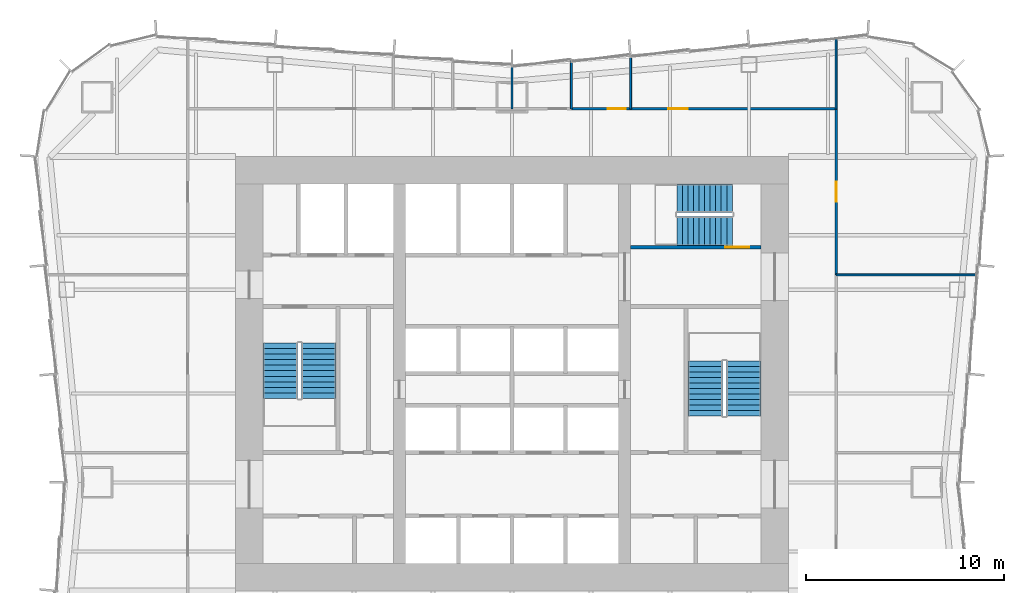
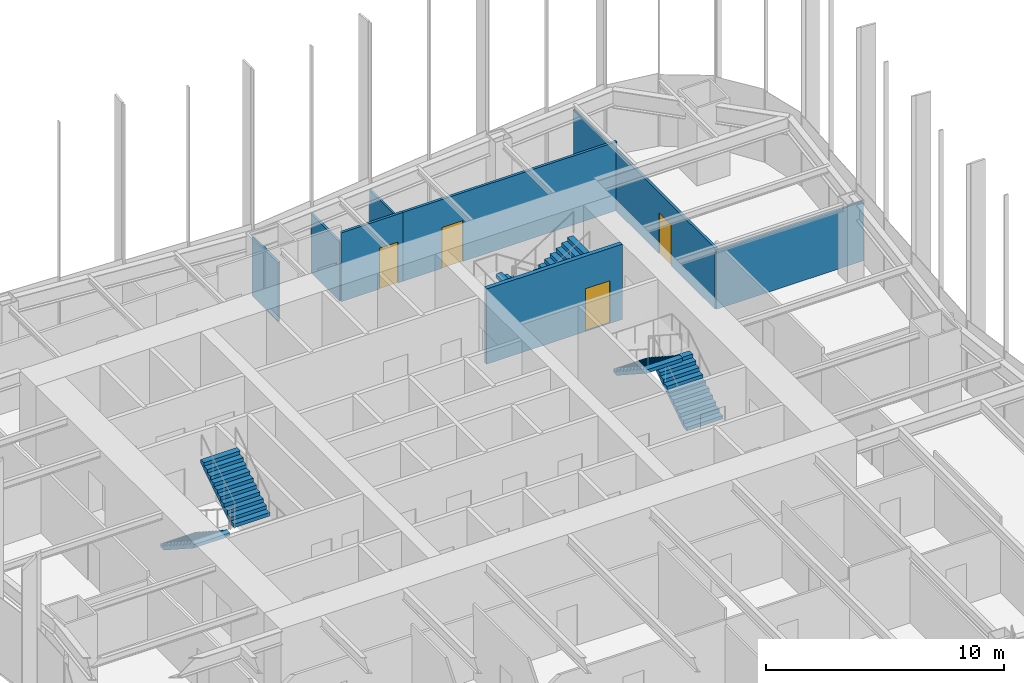
# One storey, part 12 of 13: 9 walls, 6 stair flights, 4 doors, 4 openings, 3 elements without a shape of their own.
"""IFC4 building model written with IfcOpenShell, lengths in metres."""

from ifc_helpers import new_model, si_unit, direction, frame, frame_2d, origin, place, context, subcontext, project, spatial, polyline, rectangle, outline, extrude, material, layer, layer_set, type_object, element, fill, aggregate, save


model = new_model("IFC4")

# Units and contexts
model_context = context("Model", 3, precision=1e-05, world=origin(), true_north=direction((0.0, 1.0)))
body_context = subcontext(model_context, "Body", "Model", "MODEL_VIEW")
ifc_project = project(units=[si_unit("LENGTHUNIT", "METRE"), si_unit("AREAUNIT", "SQUARE_METRE"), si_unit("VOLUMEUNIT", "CUBIC_METRE"), si_unit("PLANEANGLEUNIT", "RADIAN"), si_unit("MASSUNIT", "GRAM", prefix="KILO")], contexts=[model_context])

# Site, building, storey
site_placement = place(None, origin())
site = spatial("IfcSite", under=ifc_project, at=site_placement, CompositionType="ELEMENT")
building_placement = place(site_placement, origin())
building = spatial("IfcBuilding", under=site, at=building_placement, Name="Verdant Reach Tower", CompositionType="ELEMENT")
storey_placement = place(building_placement, frame((0.0, 0.0, 38.0)))
storey = spatial("IfcBuildingStorey", under=building, at=storey_placement, Name="L08", CompositionType="ELEMENT", Elevation=38.0)

# Wall, opening, door
ifc_material_1 = material(Name="Concrete C40/50", Category="concrete")
ifc_layer_1 = layer(ifc_material_1, 0.199951171875)
ifc_layer_set_1 = layer_set([ifc_layer_1], Name="CO-WALL-STAIR")
wall_type_1 = type_object("IfcWallType", Name="CO-WALL-STAIR", PredefinedType="PARTITIONING", material=ifc_layer_set_1)
wall_1_placement = place(storey_placement, frame((6.0, 34.39990234375, 0.0), z_axis=(0.0, 0.0, 1.0), x_axis=(1.0, 0.0, 0.0)))
wall_1 = element("IfcWall", 1, at=wall_1_placement, inside=storey, type_object=wall_type_1, Name="Stair enclosure wall, L08", PredefinedType="PARTITIONING", context=body_context, shape_type="SweptSolid", body=[
    extrude(rectangle(XDim=6.60009765625, YDim=0.199951171875, at=frame_2d((3.300048828125, 0.0))), origin(), (0.0, 0.0, 1.0), 3.8701171875),
])
opening_1_placement = place(wall_1_placement, frame((4.800048828125, 0.0, 0.0)))
opening_1 = element("IfcOpeningElement", 2, at=opening_1_placement, cuts=wall_1, Name="Opening SD", PredefinedType="OPENING", context=body_context, shape_type="SweptSolid", body=[
    extrude(rectangle(XDim=1.199951171875, YDim=2.199951171875, at=frame_2d((0.60009765625, 1.10009765625))), frame((0.0, 0.10986328125, 0.0), z_axis=(0.0, -1.0, 0.0), x_axis=(1.0, 0.0, 0.0)), (0.0, 0.0, 1.0), 0.219970703125),
])
ifc_material_2 = material(Name="Steel", Category="steel")
door_type_1 = type_object("IfcDoorType", Name="CO-DOOR-STAIR", OperationType="NOTDEFINED", PredefinedType="DOOR", material=ifc_material_2)
door_1_placement = place(opening_1_placement, origin())
door_1 = element("IfcDoor", 3, at=door_1_placement, inside=storey, type_object=door_type_1, Name="Stair door, L08", OperationType="SINGLE_SWING_RIGHT", OverallHeight=2.199951171875, OverallWidth=1.199951171875, PredefinedType="DOOR", context=body_context, shape_type="SweptSolid", body=[
    extrude(rectangle(XDim=1.199951171875, YDim=2.199951171875, at=frame_2d((0.60009765625, 1.10009765625))), frame((0.0, 0.02490234375, 0.0), z_axis=(0.0, -1.0, 0.0), x_axis=(1.0, 0.0, 0.0)), (0.0, 0.0, 1.0), 0.050048828125),
])
fill(opening_1, door_1)

# Walls
ifc_material_3 = material(Name="Gypsum board on steel studs", Category="steel")
ifc_layer_2 = layer(ifc_material_3, 0.10009765625)
ifc_layer_set_2 = layer_set([ifc_layer_2], Name="FL-W1 Partition 100")
wall_type_2 = type_object("IfcWallType", Name="FL-W1 Partition 100", PredefinedType="PARTITIONING", material=ifc_layer_set_2)
wall_2_placement = place(storey_placement, frame((0.0, 41.39990234375, 0.0), z_axis=(0.0, 0.0, 1.0), x_axis=(0.0, 1.0, 0.0)))
element("IfcWall", 4, at=wall_2_placement, inside=storey, type_object=wall_type_2, Name="Partition 08.40", PredefinedType="PARTITIONING", context=body_context, shape_type="SweptSolid", body=[
    extrude(rectangle(XDim=2.18017578125, YDim=0.10009765625, at=frame_2d((1.090087890625, 0.0))), origin(), (0.0, 0.0, 1.0), 3.0400390625),
])
wall_3_placement = place(storey_placement, frame((3.0, 41.39990234375, 0.0), z_axis=(0.0, 0.0, 1.0), x_axis=(0.0, 1.0, 0.0)))
element("IfcWall", 5, at=wall_3_placement, inside=storey, type_object=wall_type_2, Name="Partition 08.41", PredefinedType="PARTITIONING", context=body_context, shape_type="SweptSolid", body=[
    extrude(rectangle(XDim=2.43017578125, YDim=0.10009765625, at=frame_2d((1.215087890625, 0.0))), origin(), (0.0, 0.0, 1.0), 3.0400390625),
])
wall_4_placement = place(storey_placement, frame((6.0, 41.39990234375, 0.0), z_axis=(0.0, 0.0, 1.0), x_axis=(0.0, 1.0, 0.0)))
element("IfcWall", 6, at=wall_4_placement, inside=storey, type_object=wall_type_2, Name="Partition 08.42", PredefinedType="PARTITIONING", context=body_context, shape_type="SweptSolid", body=[
    extrude(rectangle(XDim=2.68017578125, YDim=0.10009765625, at=frame_2d((1.340087890625, 0.0))), origin(), (0.0, 0.0, 1.0), 3.0400390625),
])
wall_5_placement = place(storey_placement, frame((16.39990234375, 41.39599609375, 0.0), z_axis=(0.0, 0.0, 1.0), x_axis=(0.0, 1.0, 0.0)))
element("IfcWall", 7, at=wall_5_placement, inside=storey, type_object=wall_type_2, Name="Partition 08.43", PredefinedType="PARTITIONING", context=body_context, shape_type="SweptSolid", body=[
    extrude(rectangle(XDim=3.55078125, YDim=0.10009765625, at=frame_2d((1.775390625, 0.0))), origin(), (0.0, 0.0, 1.0), 3.0400390625),
])
wall_6_placement = place(storey_placement, frame((23.534423828125, 33.0, 0.0), z_axis=(0.0, 0.0, 1.0), x_axis=(-1.0, 0.0, 0.0)))
element("IfcWall", 8, at=wall_6_placement, inside=storey, type_object=wall_type_2, Name="Partition 08.47", PredefinedType="PARTITIONING", context=body_context, shape_type="SweptSolid", body=[
    extrude(rectangle(XDim=7.134521484375, YDim=0.10009765625, at=frame_2d((3.5673828125, 0.0))), origin(), (0.0, 0.0, 1.0), 3.0400390625),
])

# Wall, opening, door
ifc_material_4 = material(Name="Gypsum board on steel studs, fire rated", Category="steel")
ifc_layer_3 = layer(ifc_material_4, 0.125)
ifc_layer_set_3 = layer_set([ifc_layer_3], Name="FL-W2 Corridor wall 125")
wall_type_3 = type_object("IfcWallType", Name="FL-W2 Corridor wall 125", PredefinedType="PARTITIONING", material=ifc_layer_set_3)
wall_7_placement = place(storey_placement, frame((3.0, 41.39990234375, 0.0), z_axis=(0.0, 0.0, 1.0), x_axis=(1.0, 0.0, 0.0)))
wall_7 = element("IfcWall", 9, at=wall_7_placement, inside=storey, type_object=wall_type_3, Name="Partition 08.11", PredefinedType="PARTITIONING", context=body_context, shape_type="SweptSolid", body=[
    extrude(rectangle(XDim=3.0, YDim=0.125, at=frame_2d((1.5, 0.0))), origin(), (0.0, 0.0, 1.0), 3.5400390625),
])
opening_2_placement = place(wall_7_placement, frame((1.85009765625, 0.0, 0.0)))
opening_2 = element("IfcOpeningElement", 10, at=opening_2_placement, cuts=wall_7, Name="Opening D1", PredefinedType="OPENING", context=body_context, shape_type="SweptSolid", body=[
    extrude(rectangle(XDim=0.89990234375, YDim=2.10009765625, at=frame_2d((0.449951171875, 1.050048828125))), frame((0.0, 0.072509765625, 0.0), z_axis=(0.0, -1.0, 0.0), x_axis=(1.0, 0.0, 0.0)), (0.0, 0.0, 1.0), 0.14501953125),
])
ifc_material_5 = material(Name="Painted timber door leaf", Category="wood")
door_type_2 = type_object("IfcDoorType", Name="FL-D1 Door 900x2100", OperationType="NOTDEFINED", PredefinedType="DOOR", material=ifc_material_5)
door_2_placement = place(opening_2_placement, origin())
door_2 = element("IfcDoor", 11, at=door_2_placement, inside=storey, type_object=door_type_2, Name="Door 08-009", OperationType="SINGLE_SWING_RIGHT", OverallHeight=2.10009765625, OverallWidth=0.89990234375, PredefinedType="DOOR", context=body_context, shape_type="SweptSolid", body=[
    extrude(rectangle(XDim=0.89990234375, YDim=2.10009765625, at=frame_2d((0.449951171875, 1.050048828125))), frame((0.0, 0.02490234375, 0.0), z_axis=(0.0, -1.0, 0.0), x_axis=(1.0, 0.0, 0.0)), (0.0, 0.0, 1.0), 0.050048828125),
])
fill(opening_2, door_2)

wall_8_placement = place(storey_placement, frame((6.0, 41.39990234375, 0.0), z_axis=(0.0, 0.0, 1.0), x_axis=(1.0, 0.0, 0.0)))
wall_8 = element("IfcWall", 12, at=wall_8_placement, inside=storey, type_object=wall_type_3, Name="Partition 08.12", PredefinedType="PARTITIONING", context=body_context, shape_type="SweptSolid", body=[
    extrude(rectangle(XDim=10.39990234375, YDim=0.125, at=frame_2d((5.199951171875, 0.0))), origin(), (0.0, 0.0, 1.0), 3.5400390625),
])
opening_3_placement = place(wall_8_placement, frame((1.89990234375, 0.0, 0.0)))
opening_3 = element("IfcOpeningElement", 13, at=opening_3_placement, cuts=wall_8, Name="Opening D2", PredefinedType="OPENING", context=body_context, shape_type="SweptSolid", body=[
    extrude(rectangle(XDim=1.0, YDim=2.10009765625, at=frame_2d((0.5, 1.050048828125))), frame((0.0, 0.072509765625, 0.0), z_axis=(0.0, -1.0, 0.0), x_axis=(1.0, 0.0, 0.0)), (0.0, 0.0, 1.0), 0.14501953125),
])
ifc_material_6 = material(Name="Timber door leaf, fire rated", Category="wood")
door_type_3 = type_object("IfcDoorType", Name="FL-D2 Entrance door 1000x2100 FD30", OperationType="NOTDEFINED", PredefinedType="DOOR", material=ifc_material_6)
door_3_placement = place(opening_3_placement, origin())
door_3 = element("IfcDoor", 14, at=door_3_placement, inside=storey, type_object=door_type_3, Name="Door 08-010", OperationType="SINGLE_SWING_LEFT", OverallHeight=2.10009765625, OverallWidth=1.0, PredefinedType="DOOR", context=body_context, shape_type="SweptSolid", body=[
    extrude(rectangle(XDim=1.0, YDim=2.10009765625, at=frame_2d((0.5, 1.050048828125))), frame((0.0, 0.02490234375, 0.0), z_axis=(0.0, -1.0, 0.0), x_axis=(1.0, 0.0, 0.0)), (0.0, 0.0, 1.0), 0.050048828125),
])
fill(opening_3, door_3)

wall_9_placement = place(storey_placement, frame((16.39990234375, 41.404052734375, 0.0), z_axis=(0.0, 0.0, 1.0), x_axis=(0.0, -1.0, 0.0)))
wall_9 = element("IfcWall", 15, at=wall_9_placement, inside=storey, type_object=wall_type_3, Name="Partition 08.18", PredefinedType="PARTITIONING", context=body_context, shape_type="SweptSolid", body=[
    extrude(rectangle(XDim=8.404052734375, YDim=0.125, at=frame_2d((4.2021484375, 0.0))), origin(), (0.0, 0.0, 1.0), 3.139892578125),
])
opening_4_placement = place(wall_9_placement, frame((3.701904296875, 0.0, 0.0)))
opening_4 = element("IfcOpeningElement", 16, at=opening_4_placement, cuts=wall_9, Name="Opening D2", PredefinedType="OPENING", context=body_context, shape_type="SweptSolid", body=[
    extrude(rectangle(XDim=1.0, YDim=2.10009765625, at=frame_2d((0.5, 1.050048828125))), frame((0.0, 0.072509765625, 0.0), z_axis=(0.0, -1.0, 0.0), x_axis=(1.0, 0.0, 0.0)), (0.0, 0.0, 1.0), 0.14501953125),
])
door_4_placement = place(opening_4_placement, origin())
door_4 = element("IfcDoor", 17, at=door_4_placement, inside=storey, type_object=door_type_3, Name="Door 08-016", OperationType="SINGLE_SWING_RIGHT", OverallHeight=2.10009765625, OverallWidth=1.0, PredefinedType="DOOR", context=body_context, shape_type="SweptSolid", body=[
    extrude(rectangle(XDim=1.0, YDim=2.10009765625, at=frame_2d((0.5, 1.050048828125))), frame((0.0, 0.02490234375, 0.0), z_axis=(0.0, -1.0, 0.0), x_axis=(1.0, 0.0, 0.0)), (0.0, 0.0, 1.0), 0.050048828125),
])
fill(opening_4, door_4)

# Stair, stair flights
stair_type = type_object("IfcStairType", Name="CO-STAIR", PredefinedType="HALF_TURN_STAIR", material=ifc_material_1)
stair_1_placement = place(storey_placement, origin())
stair_1 = element("IfcStair", 18, at=stair_1_placement, inside=storey, type_object=stair_type, Name="L08 Exit stair 1", PredefinedType="HALF_TURN_STAIR")
stair_flight_type = type_object("IfcStairFlightType", Name="CO-STAIR-FLIGHT", PredefinedType="STRAIGHT", material=ifc_material_1)
stair_flight_1_placement = place(storey_placement, frame((-11.72509765625, 29.550048828125, 0.0), z_axis=(0.0, 0.0, 1.0), x_axis=(0.0, -1.0, 0.0)))
stair_flight_1 = element("IfcStairFlight", 19, at=stair_flight_1_placement, type_object=stair_flight_type, Name="ST-1 flight 1", NumberOfRisers=11, NumberOfTreads=10, PredefinedType="STRAIGHT", RiserHeight=0.181818182, TreadLength=0.28, context=body_context, shape_type="SweptSolid", body=[
    extrude(outline(polyline([(0.0, 0.0), (0.0, 0.181884765625), (0.280029296875, 0.181884765625), (0.280029296875, 0.363525390625), (0.56005859375, 0.363525390625), (0.56005859375, 0.54541015625), (0.840087890625, 0.54541015625), (0.840087890625, 0.727294921875), (1.1201171875, 0.727294921875), (1.1201171875, 0.9091796875), (1.39990234375, 0.9091796875), (1.39990234375, 1.0908203125), (1.679931640625, 1.0908203125), (1.679931640625, 1.272705078125), (1.9599609375, 1.272705078125), (1.9599609375, 1.45458984375), (2.239990234375, 1.45458984375), (2.239990234375, 1.636474609375), (2.52001953125, 1.636474609375), (2.52001953125, 1.818115234375), (2.800048828125, 1.818115234375), (2.800048828125, 2.0), (2.800048828125, 1.639404296875), (0.275146484375, 0.0), (0.0, 0.0)])), frame((0.0, 0.875, 0.0), z_axis=(0.0, -1.0, 0.0), x_axis=(1.0, 0.0, 0.0)), (0.0, 0.0, 1.0), 1.75),
])
stair_flight_2_placement = place(storey_placement, frame((-9.77490234375, 26.75, 2.0), z_axis=(0.0, 0.0, 1.0), x_axis=(0.0, 1.0, 0.0)))
stair_flight_2 = element("IfcStairFlight", 20, at=stair_flight_2_placement, type_object=stair_flight_type, Name="ST-1 flight 2", NumberOfRisers=11, NumberOfTreads=10, PredefinedType="STRAIGHT", RiserHeight=0.181818182, TreadLength=0.28, context=body_context, shape_type="SweptSolid", body=[
    extrude(outline(polyline([(0.0, 0.0), (0.0, 0.181884765625), (0.280029296875, 0.181884765625), (0.280029296875, 0.363525390625), (0.56005859375, 0.363525390625), (0.56005859375, 0.54541015625), (0.840087890625, 0.54541015625), (0.840087890625, 0.727294921875), (1.1201171875, 0.727294921875), (1.1201171875, 0.9091796875), (1.39990234375, 0.9091796875), (1.39990234375, 1.0908203125), (1.679931640625, 1.0908203125), (1.679931640625, 1.272705078125), (1.9599609375, 1.272705078125), (1.9599609375, 1.45458984375), (2.239990234375, 1.45458984375), (2.239990234375, 1.636474609375), (2.52001953125, 1.636474609375), (2.52001953125, 1.818115234375), (2.800048828125, 1.818115234375), (2.800048828125, 2.0), (2.800048828125, 1.639404296875), (0.275146484375, 0.0), (0.0, 0.0)])), frame((0.0, 0.875, 0.0), z_axis=(0.0, -1.0, 0.0), x_axis=(1.0, 0.0, 0.0)), (0.0, 0.0, 1.0), 1.75),
])
aggregate(stair_1, [stair_flight_1, stair_flight_2])

stair_2_placement = place(storey_placement, origin())
stair_2 = element("IfcStair", 21, at=stair_2_placement, inside=storey, type_object=stair_type, Name="L08 Exit stair 2", PredefinedType="HALF_TURN_STAIR")
stair_flight_3_placement = place(storey_placement, frame((11.72509765625, 25.85009765625, 0.0), z_axis=(0.0, 0.0, 1.0), x_axis=(0.0, 1.0, 0.0)))
stair_flight_3 = element("IfcStairFlight", 22, at=stair_flight_3_placement, type_object=stair_flight_type, Name="ST-2 flight 1", NumberOfRisers=11, NumberOfTreads=10, PredefinedType="STRAIGHT", RiserHeight=0.181818182, TreadLength=0.28, context=body_context, shape_type="SweptSolid", body=[
    extrude(outline(polyline([(0.0, 0.0), (0.0, 0.181884765625), (0.280029296875, 0.181884765625), (0.280029296875, 0.363525390625), (0.56005859375, 0.363525390625), (0.56005859375, 0.54541015625), (0.840087890625, 0.54541015625), (0.840087890625, 0.727294921875), (1.1201171875, 0.727294921875), (1.1201171875, 0.9091796875), (1.39990234375, 0.9091796875), (1.39990234375, 1.0908203125), (1.679931640625, 1.0908203125), (1.679931640625, 1.272705078125), (1.9599609375, 1.272705078125), (1.9599609375, 1.45458984375), (2.239990234375, 1.45458984375), (2.239990234375, 1.636474609375), (2.52001953125, 1.636474609375), (2.52001953125, 1.818115234375), (2.800048828125, 1.818115234375), (2.800048828125, 2.0), (2.800048828125, 1.639404296875), (0.275146484375, 0.0), (0.0, 0.0)])), frame((0.0, 0.875, 0.0), z_axis=(0.0, -1.0, 0.0), x_axis=(1.0, 0.0, 0.0)), (0.0, 0.0, 1.0), 1.75),
])
stair_flight_4_placement = place(storey_placement, frame((9.77490234375, 28.64990234375, 2.0), z_axis=(0.0, 0.0, 1.0), x_axis=(0.0, -1.0, 0.0)))
stair_flight_4 = element("IfcStairFlight", 23, at=stair_flight_4_placement, type_object=stair_flight_type, Name="ST-2 flight 2", NumberOfRisers=11, NumberOfTreads=10, PredefinedType="STRAIGHT", RiserHeight=0.181818182, TreadLength=0.28, context=body_context, shape_type="SweptSolid", body=[
    extrude(outline(polyline([(0.0, 0.0), (0.0, 0.181884765625), (0.280029296875, 0.181884765625), (0.280029296875, 0.363525390625), (0.56005859375, 0.363525390625), (0.56005859375, 0.54541015625), (0.840087890625, 0.54541015625), (0.840087890625, 0.727294921875), (1.1201171875, 0.727294921875), (1.1201171875, 0.9091796875), (1.39990234375, 0.9091796875), (1.39990234375, 1.0908203125), (1.679931640625, 1.0908203125), (1.679931640625, 1.272705078125), (1.9599609375, 1.272705078125), (1.9599609375, 1.45458984375), (2.239990234375, 1.45458984375), (2.239990234375, 1.636474609375), (2.52001953125, 1.636474609375), (2.52001953125, 1.818115234375), (2.800048828125, 1.818115234375), (2.800048828125, 2.0), (2.800048828125, 1.639404296875), (0.275146484375, 0.0), (0.0, 0.0)])), frame((0.0, 0.875, 0.0), z_axis=(0.0, -1.0, 0.0), x_axis=(1.0, 0.0, 0.0)), (0.0, 0.0, 1.0), 1.75),
])
aggregate(stair_2, [stair_flight_3, stair_flight_4])

stair_3_placement = place(storey_placement, origin())
stair_3 = element("IfcStair", 24, at=stair_3_placement, inside=storey, type_object=stair_type, Name="L08 Exit stair 3", PredefinedType="HALF_TURN_STAIR")
stair_flight_5_placement = place(storey_placement, frame((11.14990234375, 36.875, 0.0), z_axis=(0.0, 0.0, 1.0), x_axis=(-1.0, 0.0, 0.0)))
stair_flight_5 = element("IfcStairFlight", 25, at=stair_flight_5_placement, type_object=stair_flight_type, Name="ST-3 flight 1", NumberOfRisers=11, NumberOfTreads=10, PredefinedType="STRAIGHT", RiserHeight=0.181818182, TreadLength=0.28, context=body_context, shape_type="SweptSolid", body=[
    extrude(outline(polyline([(0.0, 0.0), (0.0, 0.181884765625), (0.280029296875, 0.181884765625), (0.280029296875, 0.363525390625), (0.56005859375, 0.363525390625), (0.56005859375, 0.54541015625), (0.840087890625, 0.54541015625), (0.840087890625, 0.727294921875), (1.1201171875, 0.727294921875), (1.1201171875, 0.9091796875), (1.39990234375, 0.9091796875), (1.39990234375, 1.0908203125), (1.679931640625, 1.0908203125), (1.679931640625, 1.272705078125), (1.9599609375, 1.272705078125), (1.9599609375, 1.45458984375), (2.239990234375, 1.45458984375), (2.239990234375, 1.636474609375), (2.52001953125, 1.636474609375), (2.52001953125, 1.818115234375), (2.800048828125, 1.818115234375), (2.800048828125, 2.0), (2.800048828125, 1.639404296875), (0.275146484375, 0.0), (0.0, 0.0)])), frame((0.0, 0.72509765625, 0.0), z_axis=(0.0, -1.0, 0.0), x_axis=(1.0, 0.0, 0.0)), (0.0, 0.0, 1.0), 1.449951171875),
])
stair_flight_6_placement = place(storey_placement, frame((8.35009765625, 35.22509765625, 2.0), z_axis=(0.0, 0.0, 1.0), x_axis=(1.0, 0.0, 0.0)))
stair_flight_6 = element("IfcStairFlight", 26, at=stair_flight_6_placement, type_object=stair_flight_type, Name="ST-3 flight 2", NumberOfRisers=11, NumberOfTreads=10, PredefinedType="STRAIGHT", RiserHeight=0.181818182, TreadLength=0.28, context=body_context, shape_type="SweptSolid", body=[
    extrude(outline(polyline([(0.0, 0.0), (0.0, 0.181884765625), (0.280029296875, 0.181884765625), (0.280029296875, 0.363525390625), (0.56005859375, 0.363525390625), (0.56005859375, 0.54541015625), (0.840087890625, 0.54541015625), (0.840087890625, 0.727294921875), (1.1201171875, 0.727294921875), (1.1201171875, 0.9091796875), (1.39990234375, 0.9091796875), (1.39990234375, 1.0908203125), (1.679931640625, 1.0908203125), (1.679931640625, 1.272705078125), (1.9599609375, 1.272705078125), (1.9599609375, 1.45458984375), (2.239990234375, 1.45458984375), (2.239990234375, 1.636474609375), (2.52001953125, 1.636474609375), (2.52001953125, 1.818115234375), (2.800048828125, 1.818115234375), (2.800048828125, 2.0), (2.800048828125, 1.639404296875), (0.275146484375, 0.0), (0.0, 0.0)])), frame((0.0, 0.72509765625, 0.0), z_axis=(0.0, -1.0, 0.0), x_axis=(1.0, 0.0, 0.0)), (0.0, 0.0, 1.0), 1.449951171875),
])
aggregate(stair_3, [stair_flight_5, stair_flight_6])

save(model, "model.ifc")
